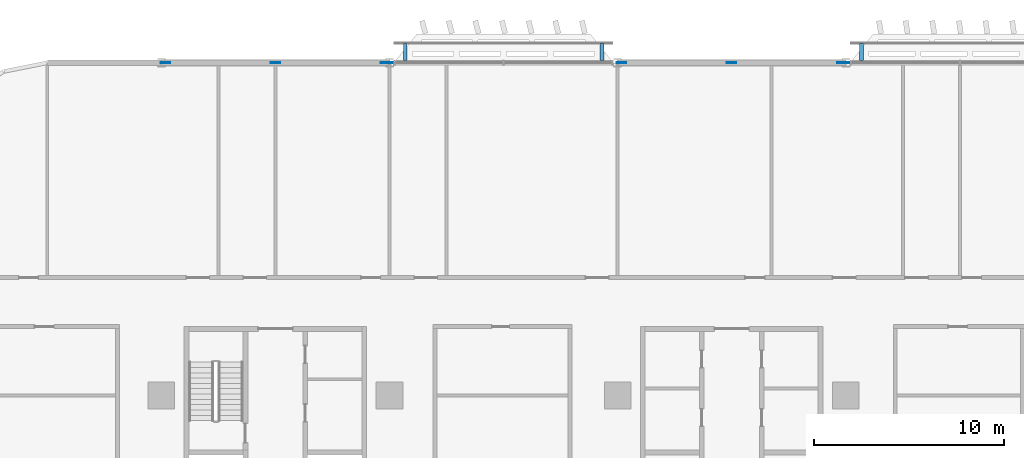
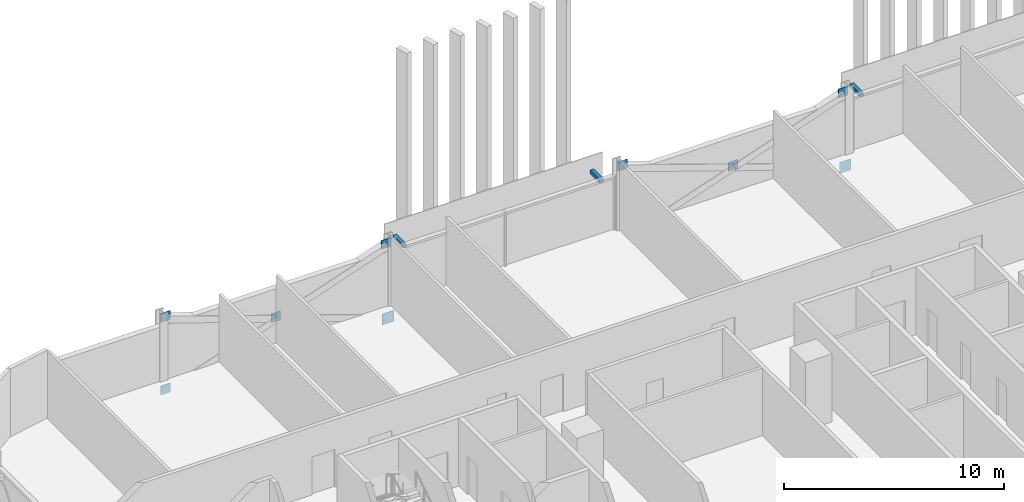
# One storey, part 18 of 31: 12 discrete accessories.
"""IFC4 building model written with IfcOpenShell, lengths in metres."""

from ifc_helpers import new_model, si_unit, direction, frame, origin, origin_2d, place, context, subcontext, project, spatial, rectangle, extrude, material, layer, layer_set, type_object, element, save


model = new_model("IFC4")

# Units and contexts
model_context = context("Model", 3, precision=1e-05, world=origin(), true_north=direction((0.0, 1.0)))
body_context = subcontext(model_context, "Body", "Model", "MODEL_VIEW")
ifc_project = project(units=[si_unit("LENGTHUNIT", "METRE"), si_unit("AREAUNIT", "SQUARE_METRE"), si_unit("VOLUMEUNIT", "CUBIC_METRE"), si_unit("PLANEANGLEUNIT", "RADIAN"), si_unit("MASSUNIT", "GRAM", prefix="KILO")], contexts=[model_context])

# Site, building, storey
site_placement = place(None, origin())
site = spatial("IfcSite", under=ifc_project, at=site_placement, CompositionType="ELEMENT")
building_placement = place(site_placement, origin())
building = spatial("IfcBuilding", under=site, at=building_placement, Name="Mahtab Terrace Research Tower", CompositionType="ELEMENT")
storey_placement = place(building_placement, frame((0.0, 0.0, 84.800048828125)))
storey = spatial("IfcBuildingStorey", under=building, at=storey_placement, Name="L19", CompositionType="ELEMENT", Elevation=84.800048828125)

# Discrete accessories
ifc_material_1 = material(Name="Black anodised aluminium", Category="aluminium")
discrete_accessory_type_1 = type_object("IfcDiscreteAccessoryType", Name="Facade bracket", PredefinedType="BRACKET", material=ifc_material_1)
for number, where, z_axis, x_axis, name in (
    (1, (6.827880859375, 29.5625, 2.703125), (0.0, 0.0, 1.0), (-1.0, 0.0, 0.0), "Screen bracket Girih screen L19 N7"),
    (2, (-6.827880859375, 29.5625, 2.703125), (0.0, 0.0, 1.0), (-1.0, 0.0, 0.0), "Screen bracket Girih screen L19 N9"),
    (3, (-17.172119140625, 29.5625, 2.703125), (0.0, 0.0, 1.0), (-1.0, 0.0, 0.0), "Screen bracket Girih screen L19 N9"),
):
    element("IfcDiscreteAccessory", number, at=place(storey_placement, frame(where, z_axis=z_axis, x_axis=x_axis)), inside=storey, type_object=discrete_accessory_type_1, Name=name, PredefinedType="BRACKET", context=body_context, shape_type="SweptSolid", body=[
        extrude(rectangle(XDim=0.199951171875, YDim=0.875, at=origin_2d()), origin(), (0.0, 0.0, 1.0), 0.199951171875),
    ])
ifc_material_2 = material(Name="Steel ASTM A992 Gr 50", Category="steel")
ifc_layer_1 = layer(ifc_material_2, 0.030029296875)
ifc_layer_set_1 = layer_set([ifc_layer_1], Name="Gusset plate 500x500x30")
discrete_accessory_type_2 = type_object("IfcDiscreteAccessoryType", Name="Gusset plate 500x500x30", PredefinedType="USERDEFINED", material=ifc_layer_set_1)
for number, where, z_axis, x_axis, name in (
    (4, (-29.790283203125, 29.0, -0.89697265625), (0.0, 0.0, 1.0), (1.0, 0.0, 0.0), "Gusset plate"),
    (5, (-29.790283203125, 29.0, 3.131591796875), (0.0, 0.0, 1.0), (1.0, 0.0, 0.0), "Gusset plate"),
    (6, (-24.0, 29.0, 1.08154296875), (0.0, 0.0, 1.0), (1.0, 0.0, 0.0), "Gusset plate"),
    (7, (-18.209716796875, 29.0, 3.131591796875), (0.0, 0.0, 1.0), (1.0, 0.0, 0.0), "Gusset plate"),
    (8, (-5.790283203125, 29.0, 3.131591796875), (0.0, 0.0, 1.0), (1.0, 0.0, 0.0), "Gusset plate"),
    (9, (0.0, 29.0, 1.08154296875), (0.0, 0.0, 1.0), (1.0, 0.0, 0.0), "Gusset plate"),
    (10, (5.790283203125, 29.0, 3.131591796875), (0.0, 0.0, 1.0), (1.0, 0.0, 0.0), "Gusset plate"),
):
    element("IfcDiscreteAccessory", number, at=place(storey_placement, frame(where, z_axis=z_axis, x_axis=x_axis)), inside=storey, type_object=discrete_accessory_type_2, Name=name, ObjectType="GUSSET PLATE", PredefinedType="USERDEFINED", context=body_context, shape_type="SweptSolid", body=[
        extrude(rectangle(XDim=0.5, YDim=0.030029296875, at=origin_2d()), origin(), (0.0, 0.0, 1.0), 0.5),
    ])
ifc_layer_2 = layer(ifc_material_2, 0.030029296875)
ifc_layer_set_2 = layer_set([ifc_layer_2], Name="Gusset plate 600x600x30")
discrete_accessory_type_3 = type_object("IfcDiscreteAccessoryType", Name="Gusset plate 600x600x30", PredefinedType="USERDEFINED", material=ifc_layer_set_2)
for number, where, z_axis, x_axis, name in (
    (11, (-18.104736328125, 29.0, -1.072998046875), (0.0, 0.0, 1.0), (1.0, 0.0, 0.0), "Gusset plate"),
    (12, (5.895263671875, 29.0, -1.072998046875), (0.0, 0.0, 1.0), (1.0, 0.0, 0.0), "Gusset plate"),
):
    element("IfcDiscreteAccessory", number, at=place(storey_placement, frame(where, z_axis=z_axis, x_axis=x_axis)), inside=storey, type_object=discrete_accessory_type_3, Name=name, ObjectType="GUSSET PLATE", PredefinedType="USERDEFINED", context=body_context, shape_type="SweptSolid", body=[
        extrude(rectangle(XDim=0.60009765625, YDim=0.030029296875, at=origin_2d()), origin(), (0.0, 0.0, 1.0), 0.60009765625),
    ])

save(model, "model.ifc")
